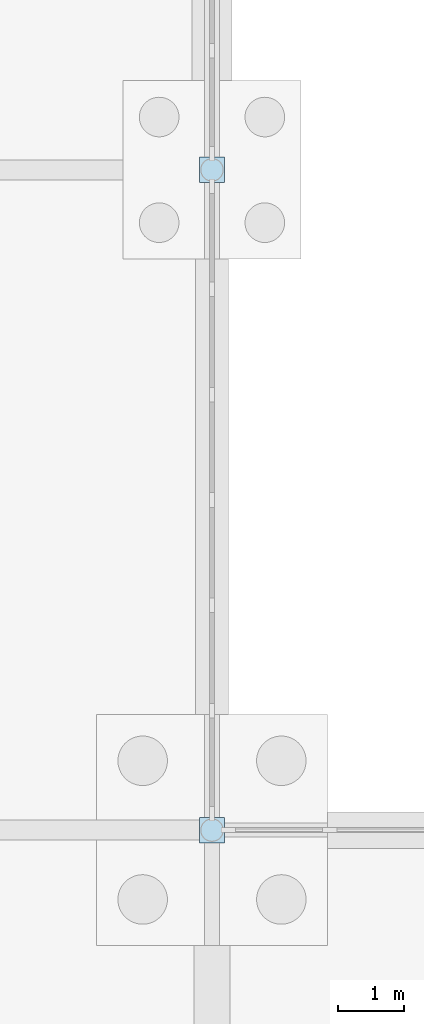
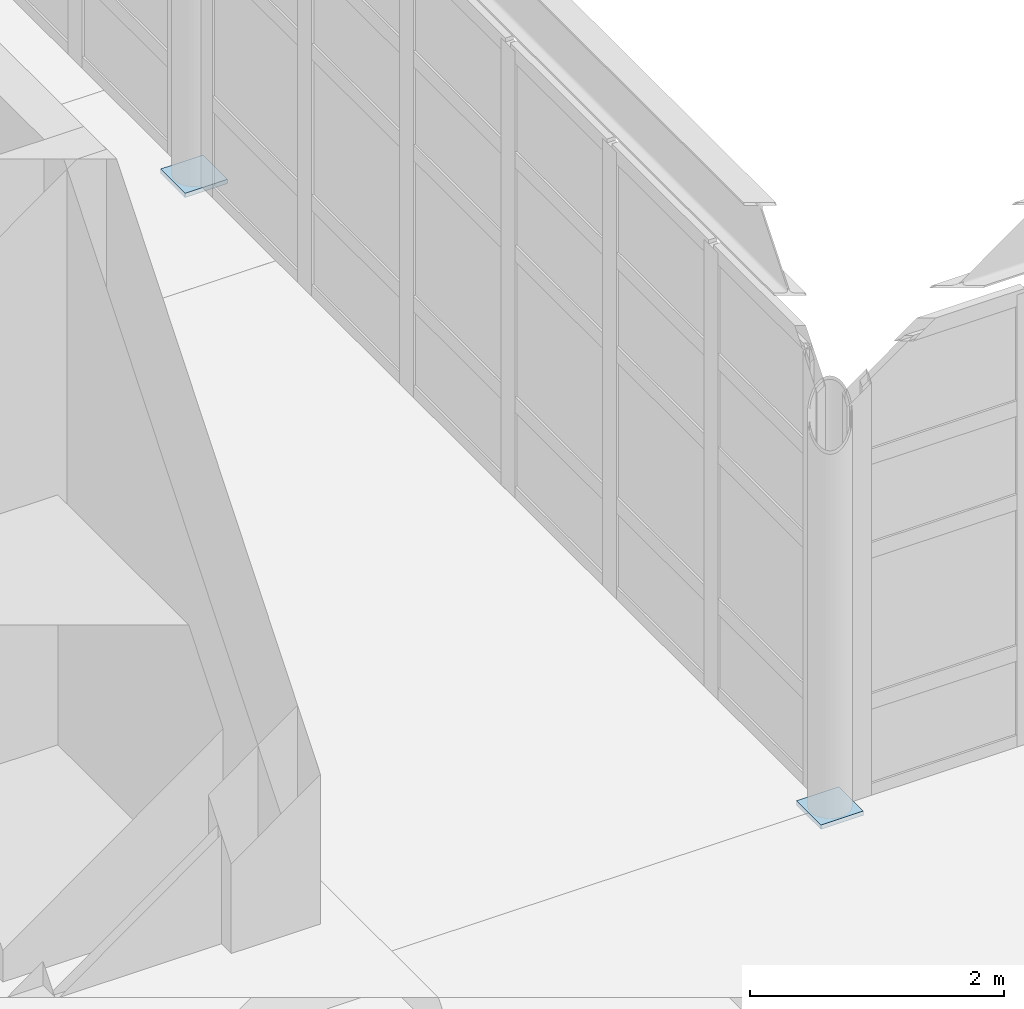
# One storey, part 117 of 145: 2 plates.
"""IFC4 building model written with IfcOpenShell, lengths in metres."""

from ifc_helpers import new_model, si_unit, direction, frame, origin, origin_2d, place, context, subcontext, project, spatial, rectangle, extrude, material, layer, layer_set, type_object, element, save


model = new_model("IFC4")

# Units and contexts
model_context = context("Model", 3, precision=1e-05, world=origin(), true_north=direction((0.0, 1.0)))
body_context = subcontext(model_context, "Body", "Model", "MODEL_VIEW")
ifc_project = project(units=[si_unit("LENGTHUNIT", "METRE"), si_unit("AREAUNIT", "SQUARE_METRE"), si_unit("VOLUMEUNIT", "CUBIC_METRE"), si_unit("PLANEANGLEUNIT", "RADIAN"), si_unit("MASSUNIT", "GRAM", prefix="KILO"), si_unit("THERMODYNAMICTEMPERATUREUNIT", "KELVIN"), si_unit("POWERUNIT", "WATT")], contexts=[model_context])

# Site, building, storey
site_placement = place(None, origin())
site = spatial("IfcSite", under=ifc_project, at=site_placement, CompositionType="ELEMENT")
building_placement = place(site_placement, origin())
building = spatial("IfcBuilding", under=site, at=building_placement, Name="Korenveer Ferry Terminal", CompositionType="ELEMENT")
storey_placement = place(building_placement, origin())
storey = spatial("IfcBuildingStorey", under=building, at=storey_placement, Name="L00", CompositionType="ELEMENT", Elevation=0.0)

# Plates
ifc_material = material(Name="Steel S355", Category="steel")
ifc_layer = layer(ifc_material, 0.0419921875)
ifc_layer_set = layer_set([ifc_layer], Name="Steel S355")
plate_type = type_object("IfcPlateType", Name="STR-PLT-CAP42", PredefinedType="USERDEFINED", material=ifc_layer_set)
for number, where, z_axis, x_axis, name in (
    (1, (136.0, 80.0, -0.0419921875), (0.0, 0.0, 1.0), (1.0, 0.0, 0.0), "Hollow section end cap 42"),
    (2, (136.0, 90.0, -0.0419921875), (0.0, 0.0, 1.0), (1.0, 0.0, 0.0), "Hollow section end cap 43"),
):
    element("IfcPlate", number, at=place(storey_placement, frame(where, z_axis=z_axis, x_axis=x_axis)), inside=storey, type_object=plate_type, Name=name, ObjectType="END CAP PLATE", PredefinedType="USERDEFINED", context=body_context, shape_type="SweptSolid", body=[
        extrude(rectangle(XDim=0.385498046875, YDim=0.385498046875, at=origin_2d()), origin(), (0.0, 0.0, 1.0), 0.0419921875),
    ])

save(model, "model.ifc")
